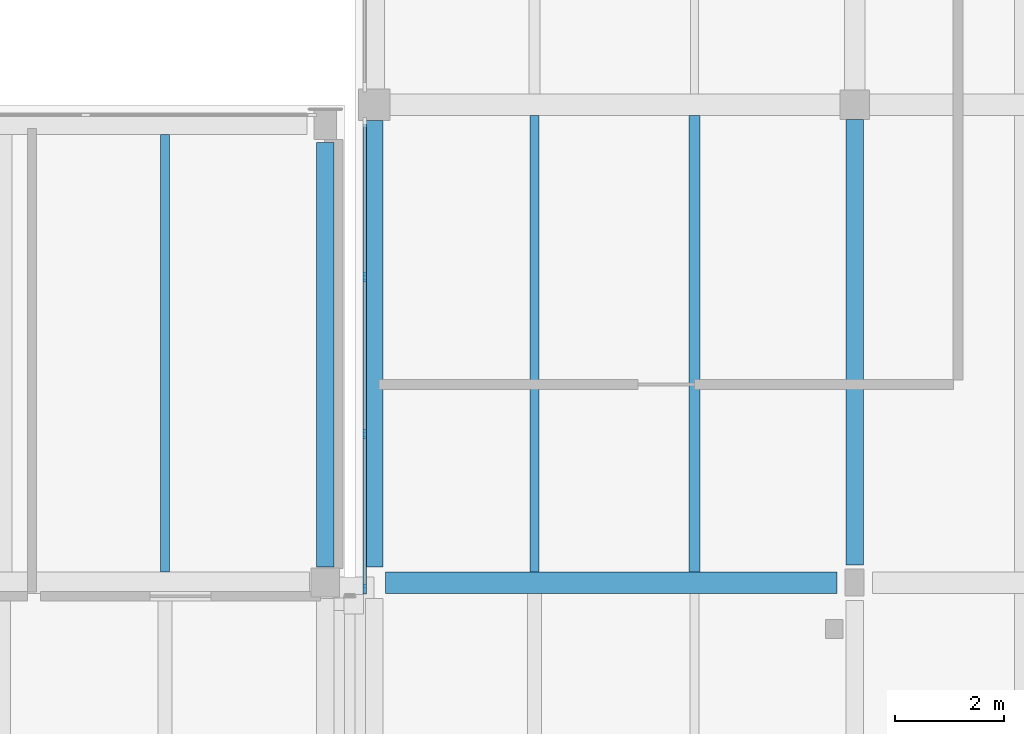
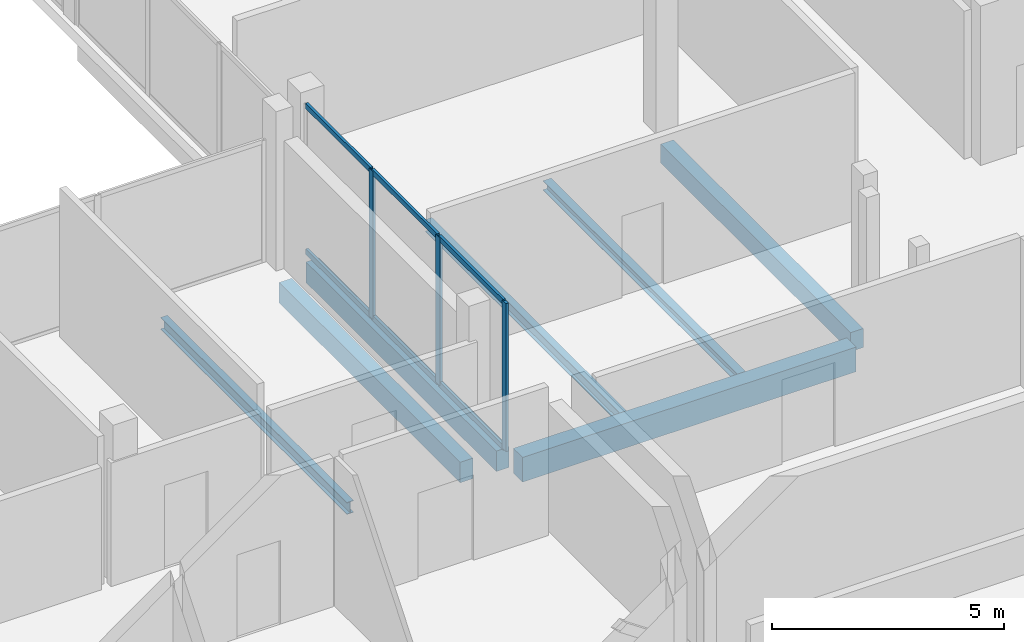
# One storey, part 14 of 66: 9 members, 7 beams, 1 element without a shape of its own.
"""IFC4 building model written with IfcOpenShell, lengths in metres."""

from ifc_helpers import new_model, si_unit, direction, frame, origin, origin_2d, place, context, subcontext, project, spatial, rectangle, i_section, extrude, material, layer, layer_set, material_profile, profile_set, type_object, element, aggregate, save


model = new_model("IFC4")

# Units and contexts
model_context = context("Model", 3, precision=1e-05, world=origin(), true_north=direction((0.0, 1.0)))
body_context = subcontext(model_context, "Body", "Model", "MODEL_VIEW")
ifc_project = project(units=[si_unit("LENGTHUNIT", "METRE"), si_unit("AREAUNIT", "SQUARE_METRE"), si_unit("VOLUMEUNIT", "CUBIC_METRE"), si_unit("PLANEANGLEUNIT", "RADIAN"), si_unit("MASSUNIT", "GRAM", prefix="KILO")], contexts=[model_context])

# Site, building, storey
site_placement = place(None, origin())
site = spatial("IfcSite", under=ifc_project, at=site_placement, CompositionType="ELEMENT")
building_placement = place(site_placement, origin())
building = spatial("IfcBuilding", under=site, at=building_placement, Name="Birchvale Park Specialist Clinic", CompositionType="ELEMENT")
storey_placement = place(building_placement, frame((0.0, 0.0, 5.39990234375)))
storey = spatial("IfcBuildingStorey", under=building, at=storey_placement, Name="L01", CompositionType="ELEMENT", Elevation=5.39990234375)

# Beams
ifc_material_1 = material(Name="Concrete C40/50", Category="concrete")
ifc_material_profile_1 = material_profile(ifc_material_1, rectangle(XDim=0.320068359375, YDim=0.5400390625, at=origin_2d()), Name="RCB-320x540")
ifc_profile_set_1 = profile_set([ifc_material_profile_1], Name="Concrete C40/50")
beam_type_1 = type_object("IfcBeamType", Name="BM-EXT-BG7", PredefinedType="BEAM", material=ifc_profile_set_1)
beam_1_placement = place(storey_placement, frame((118.25, 26.090087890625, -0.5498046875), z_axis=(0.0, 1.0, 0.0), x_axis=(-1.0, 0.0, 0.0)))
element("IfcBeam", 1, at=beam_1_placement, inside=storey, type_object=beam_type_1, Name="V4 L01 Y girder 36", PredefinedType="BEAM", context=body_context, shape_type="SweptSolid", body=[
    extrude(rectangle(XDim=0.320068359375, YDim=0.5400390625, at=origin_2d()), origin(), (0.0, 0.0, 1.0), 7.81982421875),
])
beam_2_placement = place(storey_placement, frame((119.14990234375, 26.090087890625, -0.56982421875), z_axis=(0.0, 1.0, 0.0), x_axis=(-1.0, 0.0, 0.0)))
element("IfcBeam", 2, at=beam_2_placement, inside=storey, type_object=beam_type_1, Name="V5 L01 Y girder 38", PredefinedType="BEAM", context=body_context, shape_type="SweptSolid", body=[
    extrude(rectangle(XDim=0.320068359375, YDim=0.5400390625, at=origin_2d()), origin(), (0.0, 0.0, 1.0), 8.219970703125),
])
ifc_material_profile_2 = material_profile(ifc_material_1, rectangle(XDim=0.39990234375, YDim=0.64990234375, at=origin_2d()), Name="RCB-400x650")
ifc_profile_set_2 = profile_set([ifc_material_profile_2], Name="Concrete C40/50")
beam_type_2 = type_object("IfcBeamType", Name="BM-INT-BG4", PredefinedType="BEAM", material=ifc_profile_set_2)
beam_3_placement = place(storey_placement, frame((119.360107421875, 25.800048828125, -0.625), z_axis=(1.0, 0.0, 0.0), x_axis=(0.0, 1.0, 0.0)))
element("IfcBeam", 3, at=beam_3_placement, inside=storey, type_object=beam_type_2, Name="V5 L01 X girder 16", PredefinedType="BEAM", context=body_context, shape_type="SweptSolid", body=[
    extrude(rectangle(XDim=0.39990234375, YDim=0.64990234375, at=origin_2d()), origin(), (0.0, 0.0, 1.0), 8.31494140625),
])
ifc_material_profile_3 = material_profile(ifc_material_1, rectangle(XDim=0.320068359375, YDim=0.5, at=origin_2d()), Name="RCB-320x500")
ifc_profile_set_3 = profile_set([ifc_material_profile_3], Name="Concrete C40/50")
beam_type_3 = type_object("IfcBeamType", Name="BM-INT-BG7", PredefinedType="BEAM", material=ifc_profile_set_3)
beam_4_placement = place(storey_placement, frame((128.0, 26.125, -0.5498046875), z_axis=(0.0, 1.0, 0.0), x_axis=(-1.0, 0.0, 0.0)))
element("IfcBeam", 4, at=beam_4_placement, inside=storey, type_object=beam_type_3, Name="V5 L01 Y girder 43", PredefinedType="BEAM", context=body_context, shape_type="SweptSolid", body=[
    extrude(rectangle(XDim=0.320068359375, YDim=0.5, at=origin_2d()), origin(), (0.0, 0.0, 1.0), 8.199951171875),
])

# Curtain wall, members
ifc_material_2 = material(Name="Thermally broken anodised aluminium", Category="aluminium")
ifc_layer = layer(ifc_material_2, 0.195068359375)
ifc_layer_set = layer_set([ifc_layer], Name="Thermally broken anodised aluminium")
curtain_wall_type = type_object("IfcCurtainWallType", Name="CW-U2", PredefinedType="USERDEFINED", material=ifc_layer_set)
curtain_wall_placement = place(storey_placement, origin())
curtain_wall = element("IfcCurtainWall", 5, at=curtain_wall_placement, inside=storey, type_object=curtain_wall_type, Name="V5 L01 glazed curtain wall 94", ObjectType="UNITISED", PredefinedType="USERDEFINED")
ifc_material_profile_4 = material_profile(ifc_material_2, rectangle(XDim=0.06494140625, YDim=0.179931640625, at=origin_2d()), Name="CWM-65x180")
ifc_profile_set_4 = profile_set([ifc_material_profile_4], Name="Thermally broken anodised aluminium")
member_type_1 = type_object("IfcMemberType", Name="CWM2", PredefinedType="MULLION", material=ifc_profile_set_4)
member_1_placement = place(storey_placement, frame((118.97509765625, 31.42333984375, 0.0), z_axis=(0.0, 0.0, 1.0), x_axis=(1.0, 0.0, 0.0)))
member_1 = element("IfcMember", 6, at=member_1_placement, type_object=member_type_1, Name="CW mullion 2", PredefinedType="MULLION", context=body_context, shape_type="SweptSolid", body=[
    extrude(rectangle(XDim=0.06494140625, YDim=0.179931640625, at=origin_2d()), origin(), (0.0, 0.0, 1.0), 3.900146484375),
])
member_2_placement = place(storey_placement, frame((118.97509765625, 28.53662109375, 0.0), z_axis=(0.0, 0.0, 1.0), x_axis=(1.0, 0.0, 0.0)))
member_2 = element("IfcMember", 7, at=member_2_placement, type_object=member_type_1, Name="CW mullion 3", PredefinedType="MULLION", context=body_context, shape_type="SweptSolid", body=[
    extrude(rectangle(XDim=0.06494140625, YDim=0.179931640625, at=origin_2d()), origin(), (0.0, 0.0, 1.0), 3.900146484375),
])
member_3_placement = place(storey_placement, frame((118.97509765625, 25.6826171875, 0.0), z_axis=(0.0, 0.0, 1.0), x_axis=(1.0, 0.0, 0.0)))
member_3 = element("IfcMember", 8, at=member_3_placement, type_object=member_type_1, Name="CW mullion 4", PredefinedType="MULLION", context=body_context, shape_type="SweptSolid", body=[
    extrude(rectangle(XDim=0.06494140625, YDim=0.179931640625, at=origin_2d()), origin(), (0.0, 0.0, 1.0), 3.900146484375),
])
ifc_material_profile_5 = material_profile(ifc_material_2, rectangle(XDim=0.06494140625, YDim=0.139892578125, at=origin_2d()), Name="CWT-65x140")
ifc_profile_set_5 = profile_set([ifc_material_profile_5], Name="Thermally broken anodised aluminium")
member_type_2 = type_object("IfcMemberType", Name="CWT2", PredefinedType="USERDEFINED", material=ifc_profile_set_5)
member_4_placement = place(storey_placement, frame((118.97509765625, 34.2451171875, 0.03271484375), z_axis=(0.0, -1.0, 0.0), x_axis=(1.0, 0.0, 0.0)))
member_4 = element("IfcMember", 9, at=member_4_placement, type_object=member_type_2, Name="CW transom 1.1", ObjectType="TRANSOM", PredefinedType="USERDEFINED", context=body_context, shape_type="SweptSolid", body=[
    extrude(rectangle(XDim=0.06494140625, YDim=0.139892578125, at=origin_2d()), origin(), (0.0, 0.0, 1.0), 2.789306640625),
])
member_5_placement = place(storey_placement, frame((118.97509765625, 34.2451171875, 3.86767578125), z_axis=(0.0, -1.0, 0.0), x_axis=(1.0, 0.0, 0.0)))
member_5 = element("IfcMember", 10, at=member_5_placement, type_object=member_type_2, Name="CW transom 1.2", ObjectType="TRANSOM", PredefinedType="USERDEFINED", context=body_context, shape_type="SweptSolid", body=[
    extrude(rectangle(XDim=0.06494140625, YDim=0.139892578125, at=origin_2d()), origin(), (0.0, 0.0, 1.0), 2.789306640625),
])
member_6_placement = place(storey_placement, frame((118.97509765625, 31.390869140625, 0.03271484375), z_axis=(0.0, -1.0, 0.0), x_axis=(1.0, 0.0, 0.0)))
member_6 = element("IfcMember", 11, at=member_6_placement, type_object=member_type_2, Name="CW transom 2.1", ObjectType="TRANSOM", PredefinedType="USERDEFINED", context=body_context, shape_type="SweptSolid", body=[
    extrude(rectangle(XDim=0.06494140625, YDim=0.139892578125, at=origin_2d()), origin(), (0.0, 0.0, 1.0), 2.82177734375),
])
member_7_placement = place(storey_placement, frame((118.97509765625, 31.390869140625, 3.86767578125), z_axis=(0.0, -1.0, 0.0), x_axis=(1.0, 0.0, 0.0)))
member_7 = element("IfcMember", 12, at=member_7_placement, type_object=member_type_2, Name="CW transom 2.2", ObjectType="TRANSOM", PredefinedType="USERDEFINED", context=body_context, shape_type="SweptSolid", body=[
    extrude(rectangle(XDim=0.06494140625, YDim=0.139892578125, at=origin_2d()), origin(), (0.0, 0.0, 1.0), 2.82177734375),
])
member_8_placement = place(storey_placement, frame((118.97509765625, 28.504150390625, 0.03271484375), z_axis=(0.0, -1.0, 0.0), x_axis=(1.0, 0.0, 0.0)))
member_8 = element("IfcMember", 13, at=member_8_placement, type_object=member_type_2, Name="CW transom 3.1", ObjectType="TRANSOM", PredefinedType="USERDEFINED", context=body_context, shape_type="SweptSolid", body=[
    extrude(rectangle(XDim=0.06494140625, YDim=0.139892578125, at=origin_2d()), origin(), (0.0, 0.0, 1.0), 2.7890625),
])
member_9_placement = place(storey_placement, frame((118.97509765625, 28.504150390625, 3.86767578125), z_axis=(0.0, -1.0, 0.0), x_axis=(1.0, 0.0, 0.0)))
member_9 = element("IfcMember", 14, at=member_9_placement, type_object=member_type_2, Name="CW transom 3.2", ObjectType="TRANSOM", PredefinedType="USERDEFINED", context=body_context, shape_type="SweptSolid", body=[
    extrude(rectangle(XDim=0.06494140625, YDim=0.139892578125, at=origin_2d()), origin(), (0.0, 0.0, 1.0), 2.7890625),
])
aggregate(curtain_wall, [member_1, member_2, member_3, member_4, member_5, member_6, member_7, member_8, member_9])

# Beams
ifc_material_3 = material(Name="Steel ASTM A992 Grade 50", Category="steel")
ifc_material_profile_6 = material_profile(ifc_material_3, i_section(OverallWidth=0.1669921875, OverallDepth=0.31689453125, WebThickness=0.007568359375, FlangeThickness=0.01318359375, at=origin_2d()), Name="W12X35")
ifc_profile_set_6 = profile_set([ifc_material_profile_6], Name="Steel ASTM A992 Grade 50")
beam_type_4 = type_object("IfcBeamType", Name="STL-INT-SJ3", PredefinedType="JOIST", material=ifc_profile_set_6)
beam_5_placement = place(storey_placement, frame((115.300048828125, 26.0, -0.4384765625), z_axis=(0.0, 1.0, 0.0), x_axis=(-1.0, 0.0, 0.0)))
element("IfcBeam", 15, at=beam_5_placement, inside=storey, type_object=beam_type_4, Name="V4 L01 secondary floor joist 17", PredefinedType="JOIST", context=body_context, shape_type="SweptSolid", body=[
    extrude(i_section(OverallWidth=0.1669921875, OverallDepth=0.31689453125, WebThickness=0.007568359375, FlangeThickness=0.01318359375, at=origin_2d()), origin(), (0.0, 0.0, 1.0), 8.050048828125),
])
beam_6_placement = place(storey_placement, frame((122.10009765625, 26.0, -0.45849609375), z_axis=(0.0, 1.0, 0.0), x_axis=(-1.0, 0.0, 0.0)))
element("IfcBeam", 16, at=beam_6_placement, inside=storey, type_object=beam_type_4, Name="V5 L01 secondary floor joist 7", PredefinedType="JOIST", context=body_context, shape_type="SweptSolid", body=[
    extrude(i_section(OverallWidth=0.1669921875, OverallDepth=0.31689453125, WebThickness=0.007568359375, FlangeThickness=0.01318359375, at=origin_2d()), origin(), (0.0, 0.0, 1.0), 8.39990234375),
])
ifc_material_profile_7 = material_profile(ifc_material_3, i_section(OverallWidth=0.202880859375, OverallDepth=0.251953125, WebThickness=0.008056640625, FlangeThickness=0.013427734375, at=origin_2d()), Name="W10X39")
ifc_profile_set_7 = profile_set([ifc_material_profile_7], Name="Steel ASTM A992 Grade 50")
beam_type_5 = type_object("IfcBeamType", Name="STL-INT-SJ4", PredefinedType="JOIST", material=ifc_profile_set_7)
beam_7_placement = place(storey_placement, frame((125.050048828125, 26.0, -0.42578125), z_axis=(0.0, 1.0, 0.0), x_axis=(-1.0, 0.0, 0.0)))
element("IfcBeam", 17, at=beam_7_placement, inside=storey, type_object=beam_type_5, Name="V5 L01 secondary floor joist 8", PredefinedType="JOIST", context=body_context, shape_type="SweptSolid", body=[
    extrude(i_section(OverallWidth=0.202880859375, OverallDepth=0.251953125, WebThickness=0.008056640625, FlangeThickness=0.013427734375, at=origin_2d()), origin(), (0.0, 0.0, 1.0), 8.39990234375),
])

save(model, "model.ifc")
